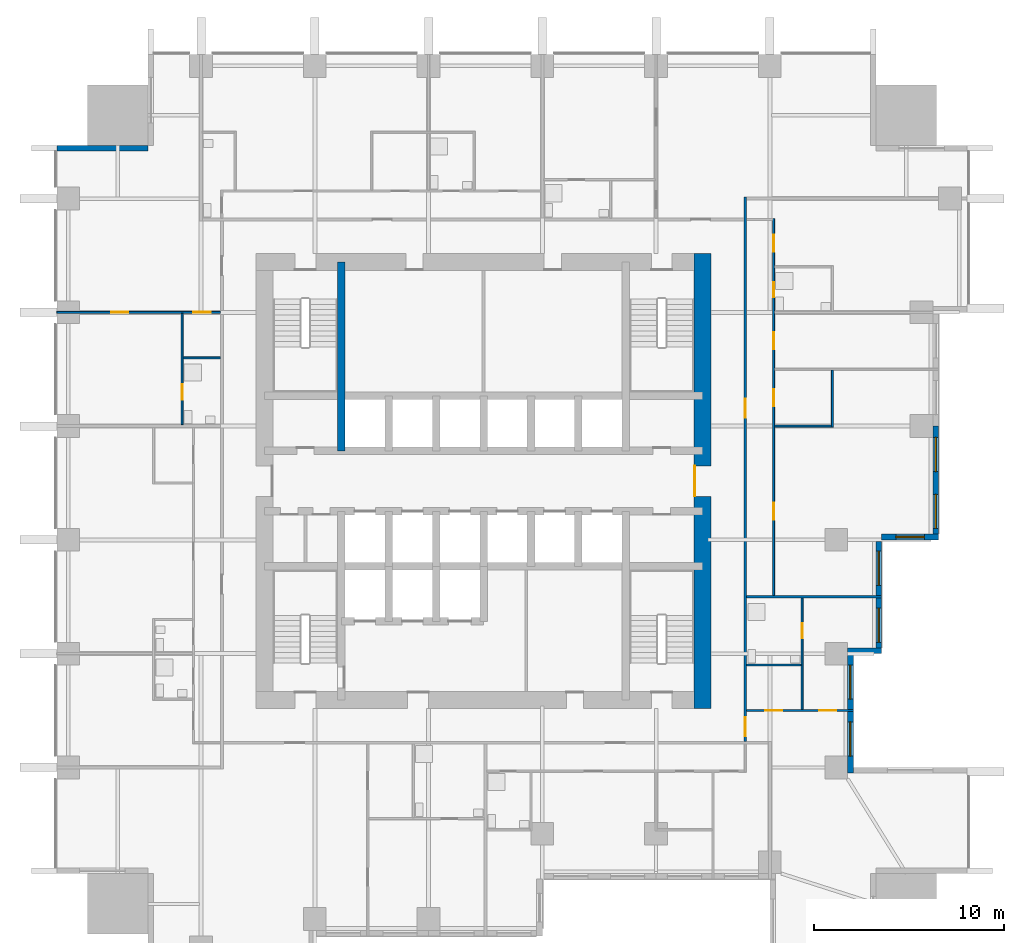
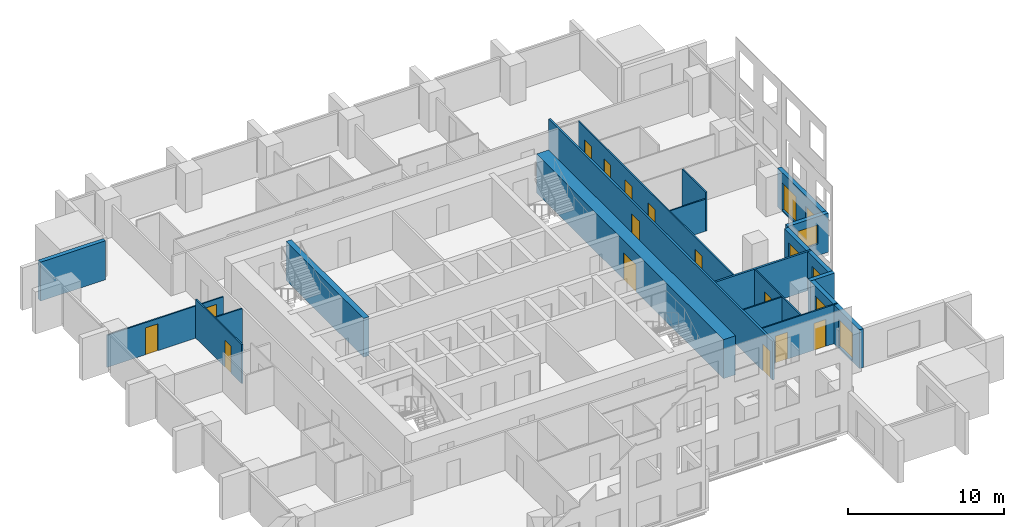
# One storey, part 6 of 11: 19 walls, 14 doors, 7 windows, 21 openings.
"""IFC4 building model written with IfcOpenShell, lengths in metres."""

from ifc_helpers import new_model, si_unit, direction, frame, frame_2d, origin, place, context, subcontext, project, spatial, rectangle, extrude, material, layer, layer_set, type_object, element, fill, save


model = new_model("IFC4")

# Units and contexts
model_context = context("Model", 3, precision=1e-05, world=origin(), true_north=direction((0.0, 1.0)))
body_context = subcontext(model_context, "Body", "Model", "MODEL_VIEW")
ifc_project = project(units=[si_unit("LENGTHUNIT", "METRE"), si_unit("AREAUNIT", "SQUARE_METRE"), si_unit("VOLUMEUNIT", "CUBIC_METRE"), si_unit("PLANEANGLEUNIT", "RADIAN"), si_unit("MASSUNIT", "GRAM", prefix="KILO")], contexts=[model_context])

# Site, building, storey
site_placement = place(None, origin())
site = spatial("IfcSite", under=ifc_project, at=site_placement, CompositionType="ELEMENT")
building_placement = place(site_placement, origin())
building = spatial("IfcBuilding", under=site, at=building_placement, Name="Amberfall Residences", CompositionType="ELEMENT")
storey_placement = place(building_placement, frame((0.0, 0.0, 33.39990234375)))
storey = spatial("IfcBuildingStorey", under=building, at=storey_placement, Name="L08", CompositionType="ELEMENT", Elevation=33.39990234375)

# Wall
ifc_material_1 = material(Name="Pale stone cladding on insulated backing", Category="masonry")
ifc_layer_1 = layer(ifc_material_1, 0.300048828125)
ifc_layer_set_1 = layer_set([ifc_layer_1], Name="Bronze clad wall 300")
wall_type_1 = type_object("IfcWallType", Name="Bronze clad wall 300", PredefinedType="SOLIDWALL", material=ifc_layer_set_1)
wall_1_placement = place(storey_placement, frame((93.699951171875, 36.550048828125, 0.0), z_axis=(0.0, 0.0, 1.0), x_axis=(1.0, 0.0, 0.0)))
element("IfcWall", 1, at=wall_1_placement, inside=storey, type_object=wall_type_1, Name="External wall L08 E", PredefinedType="SOLIDWALL", context=body_context, shape_type="SweptSolid", body=[
    extrude(rectangle(XDim=1.800048828125, YDim=0.300048828125, at=frame_2d((0.89990234375, 0.0))), origin(), (0.0, 0.0, 1.0), 3.050048828125),
])

# Wall, opening, window
wall_2_placement = place(storey_placement, frame((95.5, 42.550048828125, 0.0), z_axis=(0.0, 0.0, 1.0), x_axis=(1.0, 0.0, 0.0)))
wall_2 = element("IfcWall", 2, at=wall_2_placement, inside=storey, type_object=wall_type_1, Name="External wall L08 E", PredefinedType="SOLIDWALL", context=body_context, shape_type="SweptSolid", body=[
    extrude(rectangle(XDim=3.0, YDim=0.300048828125, at=frame_2d((1.5, 0.0))), origin(), (0.0, 0.0, 1.0), 3.050048828125),
])
opening_1_placement = place(wall_2_placement, frame((0.75, 0.0, 0.89990234375)))
opening_1 = element("IfcOpeningElement", 3, at=opening_1_placement, cuts=wall_2, Name="Opening WN1", PredefinedType="OPENING", context=body_context, shape_type="SweptSolid", body=[
    extrude(rectangle(XDim=1.5, YDim=1.5, at=frame_2d((0.75, 0.75))), frame((0.0, 0.159912109375, 0.0), z_axis=(0.0, -1.0, 0.0), x_axis=(1.0, 0.0, 0.0)), (0.0, 0.0, 1.0), 0.320068359375),
])
ifc_material_2 = material(Name="Bronze aluminium framed glazing", Category="aluminium")
window_type_1 = type_object("IfcWindowType", Name="Window 1500 x 1500 bronze", PartitioningType="DOUBLE_PANEL_VERTICAL", PredefinedType="WINDOW", material=ifc_material_2)
window_1_placement = place(opening_1_placement, origin())
window_1 = element("IfcWindow", 4, at=window_1_placement, inside=storey, type_object=window_type_1, Name="Window L08 E", OverallHeight=1.5, OverallWidth=1.5, PartitioningType="DOUBLE_PANEL_VERTICAL", PredefinedType="WINDOW", context=body_context, shape_type="SweptSolid", body=[
    extrude(rectangle(XDim=1.5, YDim=1.5, at=frame_2d((0.75, 0.75))), frame((0.0, 0.030029296875, 0.0), z_axis=(0.0, -1.0, 0.0), x_axis=(1.0, 0.0, 0.0)), (0.0, 0.0, 1.0), 0.06005859375),
])
fill(opening_1, window_1)

# Wall
wall_3_placement = place(storey_placement, frame((56.800048828125, 63.050048828125, 0.0), z_axis=(0.0, 0.0, 1.0), x_axis=(-1.0, 0.0, 0.0)))
element("IfcWall", 5, at=wall_3_placement, inside=storey, type_object=wall_type_1, Name="External wall L08 NW", PredefinedType="SOLIDWALL", context=body_context, shape_type="SweptSolid", body=[
    extrude(rectangle(XDim=4.800048828125, YDim=0.300048828125, at=frame_2d((2.39990234375, 0.0))), origin(), (0.0, 0.0, 1.0), 3.050048828125),
])

# Wall, openings, windows
wall_4_placement = place(storey_placement, frame((93.85009765625, 30.10009765625, 0.0), z_axis=(0.0, 0.0, 1.0), x_axis=(0.0, 1.0, 0.0)))
wall_4 = element("IfcWall", 6, at=wall_4_placement, inside=storey, type_object=wall_type_1, Name="Stone wall L08 E", PredefinedType="SOLIDWALL", context=body_context, shape_type="SweptSolid", body=[
    extrude(rectangle(XDim=6.2998046875, YDim=0.300048828125, at=frame_2d((3.14990234375, 0.0))), origin(), (0.0, 0.0, 1.0), 3.050048828125),
])
opening_2_placement = place(wall_4_placement, frame((0.89990234375, 0.0, 0.14990234375)))
opening_2 = element("IfcOpeningElement", 7, at=opening_2_placement, cuts=wall_4, Name="Opening WN6", PredefinedType="OPENING", context=body_context, shape_type="SweptSolid", body=[
    extrude(rectangle(XDim=1.800048828125, YDim=2.10009765625, at=frame_2d((0.89990234375, 1.050048828125))), frame((0.0, 0.159912109375, 0.0), z_axis=(0.0, -1.0, 0.0), x_axis=(1.0, 0.0, 0.0)), (0.0, 0.0, 1.0), 0.320068359375),
])
opening_3_placement = place(wall_4_placement, frame((3.89990234375, 0.0, 0.14990234375)))
opening_3 = element("IfcOpeningElement", 8, at=opening_3_placement, cuts=wall_4, Name="Opening WN6", PredefinedType="OPENING", context=body_context, shape_type="SweptSolid", body=[
    extrude(rectangle(XDim=1.800048828125, YDim=2.10009765625, at=frame_2d((0.89990234375, 1.050048828125))), frame((0.0, 0.159912109375, 0.0), z_axis=(0.0, -1.0, 0.0), x_axis=(1.0, 0.0, 0.0)), (0.0, 0.0, 1.0), 0.320068359375),
])
window_type_2 = type_object("IfcWindowType", Name="Glazed opening 1800 x 2100 bronze", PartitioningType="DOUBLE_PANEL_VERTICAL", PredefinedType="WINDOW", material=ifc_material_2)
window_2_placement = place(opening_2_placement, origin())
window_2 = element("IfcWindow", 9, at=window_2_placement, inside=storey, type_object=window_type_2, Name="Window L08 E", OverallHeight=2.10009765625, OverallWidth=1.800048828125, PartitioningType="DOUBLE_PANEL_VERTICAL", PredefinedType="WINDOW", context=body_context, shape_type="SweptSolid", body=[
    extrude(rectangle(XDim=1.800048828125, YDim=2.10009765625, at=frame_2d((0.89990234375, 1.050048828125))), frame((0.0, 0.030029296875, 0.0), z_axis=(0.0, -1.0, 0.0), x_axis=(1.0, 0.0, 0.0)), (0.0, 0.0, 1.0), 0.06005859375),
])
fill(opening_2, window_2)
window_3_placement = place(opening_3_placement, origin())
window_3 = element("IfcWindow", 10, at=window_3_placement, inside=storey, type_object=window_type_2, Name="Window L08 E", OverallHeight=2.10009765625, OverallWidth=1.800048828125, PartitioningType="DOUBLE_PANEL_VERTICAL", PredefinedType="WINDOW", context=body_context, shape_type="SweptSolid", body=[
    extrude(rectangle(XDim=1.800048828125, YDim=2.10009765625, at=frame_2d((0.89990234375, 1.050048828125))), frame((0.0, 0.030029296875, 0.0), z_axis=(0.0, -1.0, 0.0), x_axis=(1.0, 0.0, 0.0)), (0.0, 0.0, 1.0), 0.06005859375),
])
fill(opening_3, window_3)

wall_5_placement = place(storey_placement, frame((95.35009765625, 36.699951171875, 0.0), z_axis=(0.0, 0.0, 1.0), x_axis=(0.0, 1.0, 0.0)))
wall_5 = element("IfcWall", 11, at=wall_5_placement, inside=storey, type_object=wall_type_1, Name="Stone wall L08 E", PredefinedType="SOLIDWALL", context=body_context, shape_type="SweptSolid", body=[
    extrude(rectangle(XDim=5.610107421875, YDim=0.300048828125, at=frame_2d((2.80517578125, 0.0))), origin(), (0.0, 0.0, 1.0), 3.050048828125),
])
opening_4_placement = place(wall_5_placement, frame((0.300048828125, 0.0, 0.14990234375)))
opening_4 = element("IfcOpeningElement", 12, at=opening_4_placement, cuts=wall_5, Name="Opening WN6", PredefinedType="OPENING", context=body_context, shape_type="SweptSolid", body=[
    extrude(rectangle(XDim=1.800048828125, YDim=2.10009765625, at=frame_2d((0.89990234375, 1.050048828125))), frame((0.0, 0.159912109375, 0.0), z_axis=(0.0, -1.0, 0.0), x_axis=(1.0, 0.0, 0.0)), (0.0, 0.0, 1.0), 0.320068359375),
])
opening_5_placement = place(wall_5_placement, frame((3.300048828125, 0.0, 0.14990234375)))
opening_5 = element("IfcOpeningElement", 13, at=opening_5_placement, cuts=wall_5, Name="Opening WN6", PredefinedType="OPENING", context=body_context, shape_type="SweptSolid", body=[
    extrude(rectangle(XDim=1.800048828125, YDim=2.10009765625, at=frame_2d((0.89990234375, 1.050048828125))), frame((0.0, 0.159912109375, 0.0), z_axis=(0.0, -1.0, 0.0), x_axis=(1.0, 0.0, 0.0)), (0.0, 0.0, 1.0), 0.320068359375),
])
window_4_placement = place(opening_4_placement, origin())
window_4 = element("IfcWindow", 14, at=window_4_placement, inside=storey, type_object=window_type_2, Name="Window L08 E", OverallHeight=2.10009765625, OverallWidth=1.800048828125, PartitioningType="DOUBLE_PANEL_VERTICAL", PredefinedType="WINDOW", context=body_context, shape_type="SweptSolid", body=[
    extrude(rectangle(XDim=1.800048828125, YDim=2.10009765625, at=frame_2d((0.89990234375, 1.050048828125))), frame((0.0, 0.030029296875, 0.0), z_axis=(0.0, -1.0, 0.0), x_axis=(1.0, 0.0, 0.0)), (0.0, 0.0, 1.0), 0.06005859375),
])
fill(opening_4, window_4)
window_5_placement = place(opening_5_placement, origin())
window_5 = element("IfcWindow", 15, at=window_5_placement, inside=storey, type_object=window_type_2, Name="Window L08 E", OverallHeight=2.10009765625, OverallWidth=1.800048828125, PartitioningType="DOUBLE_PANEL_VERTICAL", PredefinedType="WINDOW", context=body_context, shape_type="SweptSolid", body=[
    extrude(rectangle(XDim=1.800048828125, YDim=2.10009765625, at=frame_2d((0.89990234375, 1.050048828125))), frame((0.0, 0.030029296875, 0.0), z_axis=(0.0, -1.0, 0.0), x_axis=(1.0, 0.0, 0.0)), (0.0, 0.0, 1.0), 0.06005859375),
])
fill(opening_5, window_5)

wall_6_placement = place(storey_placement, frame((98.35009765625, 42.699951171875, 0.0), z_axis=(0.0, 0.0, 1.0), x_axis=(0.0, 1.0, 0.0)))
wall_6 = element("IfcWall", 16, at=wall_6_placement, inside=storey, type_object=wall_type_1, Name="Stone wall L08 E", PredefinedType="SOLIDWALL", context=body_context, shape_type="SweptSolid", body=[
    extrude(rectangle(XDim=5.699951171875, YDim=0.300048828125, at=frame_2d((2.85009765625, 0.0))), origin(), (0.0, 0.0, 1.0), 3.050048828125),
])
opening_6_placement = place(wall_6_placement, frame((0.300048828125, 0.0, 0.14990234375)))
opening_6 = element("IfcOpeningElement", 17, at=opening_6_placement, cuts=wall_6, Name="Opening WN6", PredefinedType="OPENING", context=body_context, shape_type="SweptSolid", body=[
    extrude(rectangle(XDim=1.800048828125, YDim=2.10009765625, at=frame_2d((0.89990234375, 1.050048828125))), frame((0.0, 0.159912109375, 0.0), z_axis=(0.0, -1.0, 0.0), x_axis=(1.0, 0.0, 0.0)), (0.0, 0.0, 1.0), 0.320068359375),
])
opening_7_placement = place(wall_6_placement, frame((3.300048828125, 0.0, 0.14990234375)))
opening_7 = element("IfcOpeningElement", 18, at=opening_7_placement, cuts=wall_6, Name="Opening WN6", PredefinedType="OPENING", context=body_context, shape_type="SweptSolid", body=[
    extrude(rectangle(XDim=1.800048828125, YDim=2.10009765625, at=frame_2d((0.89990234375, 1.050048828125))), frame((0.0, 0.159912109375, 0.0), z_axis=(0.0, -1.0, 0.0), x_axis=(1.0, 0.0, 0.0)), (0.0, 0.0, 1.0), 0.320068359375),
])
window_6_placement = place(opening_6_placement, origin())
window_6 = element("IfcWindow", 19, at=window_6_placement, inside=storey, type_object=window_type_2, Name="Window L08 E", OverallHeight=2.10009765625, OverallWidth=1.800048828125, PartitioningType="DOUBLE_PANEL_VERTICAL", PredefinedType="WINDOW", context=body_context, shape_type="SweptSolid", body=[
    extrude(rectangle(XDim=1.800048828125, YDim=2.10009765625, at=frame_2d((0.89990234375, 1.050048828125))), frame((0.0, 0.030029296875, 0.0), z_axis=(0.0, -1.0, 0.0), x_axis=(1.0, 0.0, 0.0)), (0.0, 0.0, 1.0), 0.06005859375),
])
fill(opening_6, window_6)
window_7_placement = place(opening_7_placement, origin())
window_7 = element("IfcWindow", 20, at=window_7_placement, inside=storey, type_object=window_type_2, Name="Window L08 E", OverallHeight=2.10009765625, OverallWidth=1.800048828125, PartitioningType="DOUBLE_PANEL_VERTICAL", PredefinedType="WINDOW", context=body_context, shape_type="SweptSolid", body=[
    extrude(rectangle(XDim=1.800048828125, YDim=2.10009765625, at=frame_2d((0.89990234375, 1.050048828125))), frame((0.0, 0.030029296875, 0.0), z_axis=(0.0, -1.0, 0.0), x_axis=(1.0, 0.0, 0.0)), (0.0, 0.0, 1.0), 0.06005859375),
])
fill(opening_7, window_7)

# Wall
ifc_material_3 = material(Name="Concrete C80", Category="concrete")
ifc_layer_2 = layer(ifc_material_3, 0.39990234375)
ifc_layer_set_2 = layer_set([ifc_layer_2], Name="Core wall 400 C80")
wall_type_2 = type_object("IfcWallType", Name="Core wall 400 C80", PredefinedType="SHEAR", material=ifc_layer_set_2)
wall_7_placement = place(storey_placement, frame((67.0, 47.10009765625, 0.0), z_axis=(0.0, 0.0, 1.0), x_axis=(0.0, 1.0, 0.0)))
element("IfcWall", 21, at=wall_7_placement, inside=storey, type_object=wall_type_2, Name="Core wall RW2 L08 V45N", PredefinedType="SHEAR", context=body_context, shape_type="SweptSolid", body=[
    extrude(rectangle(XDim=9.949951171875, YDim=0.39990234375, at=frame_2d((4.97509765625, 0.0))), origin(), (0.0, 0.0, 1.0), 3.050048828125),
])

# Wall, opening, door
ifc_layer_3 = layer(ifc_material_3, 0.89990234375)
ifc_layer_set_3 = layer_set([ifc_layer_3], Name="Core wall 900 C80")
wall_type_3 = type_object("IfcWallType", Name="Core wall 900 C80", PredefinedType="SHEAR", material=ifc_layer_set_3)
wall_8_placement = place(storey_placement, frame((86.050048828125, 33.5, 0.0), z_axis=(0.0, 0.0, 1.0), x_axis=(0.0, 1.0, 0.0)))
wall_8 = element("IfcWall", 22, at=wall_8_placement, inside=storey, type_object=wall_type_3, Name="Core wall RW1 L08 OE", PredefinedType="SHEAR", context=body_context, shape_type="SweptSolid", body=[
    extrude(rectangle(XDim=24.0, YDim=0.89990234375, at=frame_2d((12.0, 0.0))), origin(), (0.0, 0.0, 1.0), 3.050048828125),
])
opening_8_placement = place(wall_8_placement, frame((11.199951171875, 0.0, 0.0)))
opening_8 = element("IfcOpeningElement", 23, at=opening_8_placement, cuts=wall_8, Name="Opening LB1", PredefinedType="OPENING", context=body_context, shape_type="SweptSolid", body=[
    extrude(rectangle(XDim=1.60009765625, YDim=2.10009765625, at=frame_2d((0.800048828125, 1.050048828125))), frame((0.0, 0.4599609375, 0.0), z_axis=(0.0, -1.0, 0.0), x_axis=(1.0, 0.0, 0.0)), (0.0, 0.0, 1.0), 0.919921875),
])
ifc_material_4 = material(Name="Steel fire door set", Category="steel")
door_type_1 = type_object("IfcDoorType", Name="Lift lobby double door 1600 x 2100", OperationType="DOUBLE_DOOR_SINGLE_SWING", PredefinedType="DOOR", material=ifc_material_4)
door_1_placement = place(opening_8_placement, origin())
door_1 = element("IfcDoor", 24, at=door_1_placement, inside=storey, type_object=door_type_1, Name="LB1 L08", OperationType="DOUBLE_DOOR_SINGLE_SWING", OverallHeight=2.10009765625, OverallWidth=1.60009765625, PredefinedType="DOOR", context=body_context, shape_type="SweptSolid", body=[
    extrude(rectangle(XDim=1.60009765625, YDim=2.10009765625, at=frame_2d((0.800048828125, 1.050048828125))), frame((0.0, 0.4375, 0.0), z_axis=(0.0, -1.0, 0.0), x_axis=(1.0, 0.0, 0.0)), (0.0, 0.0, 1.0), 0.050048828125),
])
fill(opening_8, door_1)

ifc_material_5 = material(Name="Gypsum board on metal stud")
ifc_layer_4 = layer(ifc_material_5, 0.10009765625)
ifc_layer_set_4 = layer_set([ifc_layer_4], Name="Flat partition 100")
wall_type_4 = type_object("IfcWallType", Name="Flat partition 100", PredefinedType="PARTITIONING", material=ifc_layer_set_4)
wall_9_placement = place(storey_placement, frame((58.60009765625, 54.35009765625, 0.0), z_axis=(0.0, 0.0, 1.0), x_axis=(0.0, -1.0, 0.0)))
wall_9 = element("IfcWall", 25, at=wall_9_placement, inside=storey, type_object=wall_type_4, Name="Partition 003", PredefinedType="PARTITIONING", context=body_context, shape_type="SweptSolid", body=[
    extrude(rectangle(XDim=5.875, YDim=0.10009765625, at=frame_2d((2.9375, 0.0))), origin(), (0.0, 0.0, 1.0), 3.050048828125),
])
opening_9_placement = place(wall_9_placement, frame((3.75, 0.0, 0.0)))
opening_9 = element("IfcOpeningElement", 26, at=opening_9_placement, cuts=wall_9, Name="Opening D42", PredefinedType="OPENING", context=body_context, shape_type="SweptSolid", body=[
    extrude(rectangle(XDim=0.800048828125, YDim=2.10009765625, at=frame_2d((0.39990234375, 1.050048828125))), frame((0.0, 0.06005859375, 0.0), z_axis=(0.0, -1.0, 0.0), x_axis=(1.0, 0.0, 0.0)), (0.0, 0.0, 1.0), 0.1201171875),
])
ifc_material_6 = material(Name="Timber", Category="wood")
door_type_2 = type_object("IfcDoorType", Name="Bathroom door 800 x 2100", OperationType="SINGLE_SWING_LEFT", PredefinedType="DOOR", material=ifc_material_6)
door_2_placement = place(opening_9_placement, origin())
door_2 = element("IfcDoor", 27, at=door_2_placement, inside=storey, type_object=door_type_2, Name="Door 0808 bath1", OperationType="SINGLE_SWING_LEFT", OverallHeight=2.10009765625, OverallWidth=0.800048828125, PredefinedType="DOOR", context=body_context, shape_type="SweptSolid", body=[
    extrude(rectangle(XDim=0.800048828125, YDim=2.10009765625, at=frame_2d((0.39990234375, 1.050048828125))), frame((0.0, 0.02490234375, 0.0), z_axis=(0.0, -1.0, 0.0), x_axis=(1.0, 0.0, 0.0)), (0.0, 0.0, 1.0), 0.050048828125),
])
fill(opening_9, door_2)

# Wall, openings, doors
wall_10_placement = place(storey_placement, frame((89.800048828125, 59.35009765625, 0.0), z_axis=(0.0, 0.0, 1.0), x_axis=(0.0, -1.0, 0.0)))
wall_10 = element("IfcWall", 28, at=wall_10_placement, inside=storey, type_object=wall_type_4, Name="Partition 018", PredefinedType="PARTITIONING", context=body_context, shape_type="SweptSolid", body=[
    extrude(rectangle(XDim=19.875, YDim=0.10009765625, at=frame_2d((9.9375, 0.0))), origin(), (0.0, 0.0, 1.0), 3.050048828125),
])
opening_10_placement = place(wall_10_placement, frame((15.0, 0.0, 0.0)))
opening_10 = element("IfcOpeningElement", 29, at=opening_10_placement, cuts=wall_10, Name="Opening D41", PredefinedType="OPENING", context=body_context, shape_type="SweptSolid", body=[
    extrude(rectangle(XDim=0.89990234375, YDim=2.10009765625, at=frame_2d((0.449951171875, 1.050048828125))), frame((0.0, 0.06005859375, 0.0), z_axis=(0.0, -1.0, 0.0), x_axis=(1.0, 0.0, 0.0)), (0.0, 0.0, 1.0), 0.1201171875),
])
opening_11_placement = place(wall_10_placement, frame((9.0, 0.0, 0.0)))
opening_11 = element("IfcOpeningElement", 30, at=opening_11_placement, cuts=wall_10, Name="Opening D41", PredefinedType="OPENING", context=body_context, shape_type="SweptSolid", body=[
    extrude(rectangle(XDim=0.89990234375, YDim=2.10009765625, at=frame_2d((0.449951171875, 1.050048828125))), frame((0.0, 0.06005859375, 0.0), z_axis=(0.0, -1.0, 0.0), x_axis=(1.0, 0.0, 0.0)), (0.0, 0.0, 1.0), 0.1201171875),
])
opening_12_placement = place(wall_10_placement, frame((6.0, 0.0, 0.0)))
opening_12 = element("IfcOpeningElement", 31, at=opening_12_placement, cuts=wall_10, Name="Opening D41", PredefinedType="OPENING", context=body_context, shape_type="SweptSolid", body=[
    extrude(rectangle(XDim=0.89990234375, YDim=2.10009765625, at=frame_2d((0.449951171875, 1.050048828125))), frame((0.0, 0.06005859375, 0.0), z_axis=(0.0, -1.0, 0.0), x_axis=(1.0, 0.0, 0.0)), (0.0, 0.0, 1.0), 0.1201171875),
])
opening_13_placement = place(wall_10_placement, frame((0.85009765625, 0.0, 0.0)))
opening_13 = element("IfcOpeningElement", 32, at=opening_13_placement, cuts=wall_10, Name="Opening D41", PredefinedType="OPENING", context=body_context, shape_type="SweptSolid", body=[
    extrude(rectangle(XDim=0.89990234375, YDim=2.10009765625, at=frame_2d((0.449951171875, 1.050048828125))), frame((0.0, 0.06005859375, 0.0), z_axis=(0.0, -1.0, 0.0), x_axis=(1.0, 0.0, 0.0)), (0.0, 0.0, 1.0), 0.1201171875),
])
opening_14_placement = place(wall_10_placement, frame((3.35009765625, 0.0, 0.0)))
opening_14 = element("IfcOpeningElement", 33, at=opening_14_placement, cuts=wall_10, Name="Opening D42", PredefinedType="OPENING", context=body_context, shape_type="SweptSolid", body=[
    extrude(rectangle(XDim=0.800048828125, YDim=2.10009765625, at=frame_2d((0.39990234375, 1.050048828125))), frame((0.0, 0.06005859375, 0.0), z_axis=(0.0, -1.0, 0.0), x_axis=(1.0, 0.0, 0.0)), (0.0, 0.0, 1.0), 0.1201171875),
])
door_3_placement = place(opening_14_placement, origin())
door_3 = element("IfcDoor", 34, at=door_3_placement, inside=storey, type_object=door_type_2, Name="Door 0804 bath1", OperationType="SINGLE_SWING_LEFT", OverallHeight=2.10009765625, OverallWidth=0.800048828125, PredefinedType="DOOR", context=body_context, shape_type="SweptSolid", body=[
    extrude(rectangle(XDim=0.800048828125, YDim=2.10009765625, at=frame_2d((0.39990234375, 1.050048828125))), frame((0.0, 0.02490234375, 0.0), z_axis=(0.0, -1.0, 0.0), x_axis=(1.0, 0.0, 0.0)), (0.0, 0.0, 1.0), 0.050048828125),
])
fill(opening_14, door_3)
door_type_3 = type_object("IfcDoorType", Name="Internal door 900 x 2100", OperationType="SINGLE_SWING_LEFT", PredefinedType="DOOR", material=ifc_material_6)
door_4_placement = place(opening_10_placement, origin())
door_4 = element("IfcDoor", 35, at=door_4_placement, inside=storey, type_object=door_type_3, Name="Door 0804 living", OperationType="SINGLE_SWING_LEFT", OverallHeight=2.10009765625, OverallWidth=0.89990234375, PredefinedType="DOOR", context=body_context, shape_type="SweptSolid", body=[
    extrude(rectangle(XDim=0.89990234375, YDim=2.10009765625, at=frame_2d((0.449951171875, 1.050048828125))), frame((0.0, 0.02490234375, 0.0), z_axis=(0.0, -1.0, 0.0), x_axis=(1.0, 0.0, 0.0)), (0.0, 0.0, 1.0), 0.050048828125),
])
fill(opening_10, door_4)
door_5_placement = place(opening_11_placement, origin())
door_5 = element("IfcDoor", 36, at=door_5_placement, inside=storey, type_object=door_type_3, Name="Door 0804 kitchen", OperationType="SINGLE_SWING_LEFT", OverallHeight=2.10009765625, OverallWidth=0.89990234375, PredefinedType="DOOR", context=body_context, shape_type="SweptSolid", body=[
    extrude(rectangle(XDim=0.89990234375, YDim=2.10009765625, at=frame_2d((0.449951171875, 1.050048828125))), frame((0.0, 0.02490234375, 0.0), z_axis=(0.0, -1.0, 0.0), x_axis=(1.0, 0.0, 0.0)), (0.0, 0.0, 1.0), 0.050048828125),
])
fill(opening_11, door_5)
door_6_placement = place(opening_12_placement, origin())
door_6 = element("IfcDoor", 37, at=door_6_placement, inside=storey, type_object=door_type_3, Name="Door 0804 bedroom1", OperationType="SINGLE_SWING_LEFT", OverallHeight=2.10009765625, OverallWidth=0.89990234375, PredefinedType="DOOR", context=body_context, shape_type="SweptSolid", body=[
    extrude(rectangle(XDim=0.89990234375, YDim=2.10009765625, at=frame_2d((0.449951171875, 1.050048828125))), frame((0.0, 0.02490234375, 0.0), z_axis=(0.0, -1.0, 0.0), x_axis=(1.0, 0.0, 0.0)), (0.0, 0.0, 1.0), 0.050048828125),
])
fill(opening_12, door_6)
door_7_placement = place(opening_13_placement, origin())
door_7 = element("IfcDoor", 38, at=door_7_placement, inside=storey, type_object=door_type_3, Name="Door 0804 bedroom2", OperationType="SINGLE_SWING_LEFT", OverallHeight=2.10009765625, OverallWidth=0.89990234375, PredefinedType="DOOR", context=body_context, shape_type="SweptSolid", body=[
    extrude(rectangle(XDim=0.89990234375, YDim=2.10009765625, at=frame_2d((0.449951171875, 1.050048828125))), frame((0.0, 0.02490234375, 0.0), z_axis=(0.0, -1.0, 0.0), x_axis=(1.0, 0.0, 0.0)), (0.0, 0.0, 1.0), 0.050048828125),
])
fill(opening_13, door_7)

# Wall, opening, door
wall_11_placement = place(storey_placement, frame((91.300048828125, 33.449951171875, 0.0), z_axis=(0.0, 0.0, 1.0), x_axis=(0.0, 1.0, 0.0)))
wall_11 = element("IfcWall", 39, at=wall_11_placement, inside=storey, type_object=wall_type_4, Name="Partition 019", PredefinedType="PARTITIONING", context=body_context, shape_type="SweptSolid", body=[
    extrude(rectangle(XDim=5.875, YDim=0.10009765625, at=frame_2d((2.9375, 0.0))), origin(), (0.0, 0.0, 1.0), 3.050048828125),
])
opening_15_placement = place(wall_11_placement, frame((3.75, 0.0, 0.0)))
opening_15 = element("IfcOpeningElement", 40, at=opening_15_placement, cuts=wall_11, Name="Opening D42", PredefinedType="OPENING", context=body_context, shape_type="SweptSolid", body=[
    extrude(rectangle(XDim=0.800048828125, YDim=2.10009765625, at=frame_2d((0.39990234375, 1.050048828125))), frame((0.0, 0.06005859375, 0.0), z_axis=(0.0, -1.0, 0.0), x_axis=(1.0, 0.0, 0.0)), (0.0, 0.0, 1.0), 0.1201171875),
])
door_8_placement = place(opening_15_placement, origin())
door_8 = element("IfcDoor", 41, at=door_8_placement, inside=storey, type_object=door_type_2, Name="Door 0803 bath1", OperationType="SINGLE_SWING_LEFT", OverallHeight=2.10009765625, OverallWidth=0.800048828125, PredefinedType="DOOR", context=body_context, shape_type="SweptSolid", body=[
    extrude(rectangle(XDim=0.800048828125, YDim=2.10009765625, at=frame_2d((0.39990234375, 1.050048828125))), frame((0.0, 0.02490234375, 0.0), z_axis=(0.0, -1.0, 0.0), x_axis=(1.0, 0.0, 0.0)), (0.0, 0.0, 1.0), 0.050048828125),
])
fill(opening_15, door_8)

# Wall
wall_12_placement = place(storey_placement, frame((92.89990234375, 48.35009765625, 0.0), z_axis=(0.0, 0.0, 1.0), x_axis=(0.0, 1.0, 0.0)))
element("IfcWall", 42, at=wall_12_placement, inside=storey, type_object=wall_type_4, Name="Partition 020", PredefinedType="PARTITIONING", context=body_context, shape_type="SweptSolid", body=[
    extrude(rectangle(XDim=3.0, YDim=0.10009765625, at=frame_2d((1.5, 0.0))), origin(), (0.0, 0.0, 1.0), 3.050048828125),
])

# Wall, openings, doors
wall_13_placement = place(storey_placement, frame((60.625, 54.39990234375, 0.0), z_axis=(0.0, 0.0, 1.0), x_axis=(-1.0, 0.0, 0.0)))
wall_13 = element("IfcWall", 43, at=wall_13_placement, inside=storey, type_object=wall_type_4, Name="Partition 028", PredefinedType="PARTITIONING", context=body_context, shape_type="SweptSolid", body=[
    extrude(rectangle(XDim=8.625, YDim=0.10009765625, at=frame_2d((4.3125, 0.0))), origin(), (0.0, 0.0, 1.0), 2.51611328125),
])
opening_16_placement = place(wall_13_placement, frame((0.52490234375, 0.0, 0.0)))
opening_16 = element("IfcOpeningElement", 44, at=opening_16_placement, cuts=wall_13, Name="Opening D41", PredefinedType="OPENING", context=body_context, shape_type="SweptSolid", body=[
    extrude(rectangle(XDim=0.89990234375, YDim=2.10009765625, at=frame_2d((0.449951171875, 1.050048828125))), frame((0.0, 0.06005859375, 0.0), z_axis=(0.0, -1.0, 0.0), x_axis=(1.0, 0.0, 0.0)), (0.0, 0.0, 1.0), 0.1201171875),
])
opening_17_placement = place(wall_13_placement, frame((4.875, 0.0, 0.0)))
opening_17 = element("IfcOpeningElement", 45, at=opening_17_placement, cuts=wall_13, Name="Opening D41", PredefinedType="OPENING", context=body_context, shape_type="SweptSolid", body=[
    extrude(rectangle(XDim=0.89990234375, YDim=2.10009765625, at=frame_2d((0.449951171875, 1.050048828125))), frame((0.0, 0.06005859375, 0.0), z_axis=(0.0, -1.0, 0.0), x_axis=(1.0, 0.0, 0.0)), (0.0, 0.0, 1.0), 0.1201171875),
])
door_9_placement = place(opening_16_placement, origin())
door_9 = element("IfcDoor", 46, at=door_9_placement, inside=storey, type_object=door_type_3, Name="Door 0808 kitchen", OperationType="SINGLE_SWING_LEFT", OverallHeight=2.10009765625, OverallWidth=0.89990234375, PredefinedType="DOOR", context=body_context, shape_type="SweptSolid", body=[
    extrude(rectangle(XDim=0.89990234375, YDim=2.10009765625, at=frame_2d((0.449951171875, 1.050048828125))), frame((0.0, 0.02490234375, 0.0), z_axis=(0.0, -1.0, 0.0), x_axis=(1.0, 0.0, 0.0)), (0.0, 0.0, 1.0), 0.050048828125),
])
fill(opening_16, door_9)
door_10_placement = place(opening_17_placement, origin())
door_10 = element("IfcDoor", 47, at=door_10_placement, inside=storey, type_object=door_type_3, Name="Door 0808 bedroom1", OperationType="SINGLE_SWING_LEFT", OverallHeight=2.10009765625, OverallWidth=0.89990234375, PredefinedType="DOOR", context=body_context, shape_type="SweptSolid", body=[
    extrude(rectangle(XDim=0.89990234375, YDim=2.10009765625, at=frame_2d((0.449951171875, 1.050048828125))), frame((0.0, 0.02490234375, 0.0), z_axis=(0.0, -1.0, 0.0), x_axis=(1.0, 0.0, 0.0)), (0.0, 0.0, 1.0), 0.050048828125),
])
fill(opening_17, door_10)

# Walls
wall_14_placement = place(storey_placement, frame((58.64990234375, 52.0, 0.0), z_axis=(0.0, 0.0, 1.0), x_axis=(1.0, 0.0, 0.0)))
element("IfcWall", 48, at=wall_14_placement, inside=storey, type_object=wall_type_4, Name="Partition 030", PredefinedType="PARTITIONING", context=body_context, shape_type="SweptSolid", body=[
    extrude(rectangle(XDim=1.97509765625, YDim=0.10009765625, at=frame_2d((0.987548828125, 0.0))), origin(), (0.0, 0.0, 1.0), 3.050048828125),
])
wall_15_placement = place(storey_placement, frame((89.85009765625, 48.39990234375, 0.0), z_axis=(0.0, 0.0, 1.0), x_axis=(1.0, 0.0, 0.0)))
element("IfcWall", 49, at=wall_15_placement, inside=storey, type_object=wall_type_4, Name="Partition 032", PredefinedType="PARTITIONING", context=body_context, shape_type="SweptSolid", body=[
    extrude(rectangle(XDim=3.0, YDim=0.10009765625, at=frame_2d((1.5, 0.0))), origin(), (0.0, 0.0, 1.0), 2.51611328125),
])
wall_16_placement = place(storey_placement, frame((88.375, 35.800048828125, 0.0), z_axis=(0.0, 0.0, 1.0), x_axis=(1.0, 0.0, 0.0)))
element("IfcWall", 50, at=wall_16_placement, inside=storey, type_object=wall_type_4, Name="Partition 036", PredefinedType="PARTITIONING", context=body_context, shape_type="SweptSolid", body=[
    extrude(rectangle(XDim=2.875, YDim=0.10009765625, at=frame_2d((1.4375, 0.0))), origin(), (0.0, 0.0, 1.0), 3.050048828125),
])

# Wall, openings, doors
wall_17_placement = place(storey_placement, frame((88.375, 33.39990234375, 0.0), z_axis=(0.0, 0.0, 1.0), x_axis=(1.0, 0.0, 0.0)))
wall_17 = element("IfcWall", 51, at=wall_17_placement, inside=storey, type_object=wall_type_4, Name="Partition 038", PredefinedType="PARTITIONING", context=body_context, shape_type="SweptSolid", body=[
    extrude(rectangle(XDim=5.625, YDim=0.10009765625, at=frame_2d((2.8125, 0.0))), origin(), (0.0, 0.0, 1.0), 3.050048828125),
])
opening_18_placement = place(wall_17_placement, frame((0.97509765625, 0.0, 0.0)))
opening_18 = element("IfcOpeningElement", 52, at=opening_18_placement, cuts=wall_17, Name="Opening D41", PredefinedType="OPENING", context=body_context, shape_type="SweptSolid", body=[
    extrude(rectangle(XDim=0.89990234375, YDim=2.10009765625, at=frame_2d((0.449951171875, 1.050048828125))), frame((0.0, 0.06005859375, 0.0), z_axis=(0.0, -1.0, 0.0), x_axis=(1.0, 0.0, 0.0)), (0.0, 0.0, 1.0), 0.1201171875),
])
opening_19_placement = place(wall_17_placement, frame((3.824951171875, 0.0, 0.0)))
opening_19 = element("IfcOpeningElement", 53, at=opening_19_placement, cuts=wall_17, Name="Opening D41", PredefinedType="OPENING", context=body_context, shape_type="SweptSolid", body=[
    extrude(rectangle(XDim=0.89990234375, YDim=2.10009765625, at=frame_2d((0.449951171875, 1.050048828125))), frame((0.0, 0.06005859375, 0.0), z_axis=(0.0, -1.0, 0.0), x_axis=(1.0, 0.0, 0.0)), (0.0, 0.0, 1.0), 0.1201171875),
])
door_11_placement = place(opening_18_placement, origin())
door_11 = element("IfcDoor", 54, at=door_11_placement, inside=storey, type_object=door_type_3, Name="Door 0803 kitchen", OperationType="SINGLE_SWING_LEFT", OverallHeight=2.10009765625, OverallWidth=0.89990234375, PredefinedType="DOOR", context=body_context, shape_type="SweptSolid", body=[
    extrude(rectangle(XDim=0.89990234375, YDim=2.10009765625, at=frame_2d((0.449951171875, 1.050048828125))), frame((0.0, 0.02490234375, 0.0), z_axis=(0.0, -1.0, 0.0), x_axis=(1.0, 0.0, 0.0)), (0.0, 0.0, 1.0), 0.050048828125),
])
fill(opening_18, door_11)
door_12_placement = place(opening_19_placement, origin())
door_12 = element("IfcDoor", 55, at=door_12_placement, inside=storey, type_object=door_type_3, Name="Door 0803 bedroom1", OperationType="SINGLE_SWING_LEFT", OverallHeight=2.10009765625, OverallWidth=0.89990234375, PredefinedType="DOOR", context=body_context, shape_type="SweptSolid", body=[
    extrude(rectangle(XDim=0.89990234375, YDim=2.10009765625, at=frame_2d((0.449951171875, 1.050048828125))), frame((0.0, 0.02490234375, 0.0), z_axis=(0.0, -1.0, 0.0), x_axis=(1.0, 0.0, 0.0)), (0.0, 0.0, 1.0), 0.050048828125),
])
fill(opening_19, door_12)

ifc_material_7 = material(Name="Blockwork, plastered", Category="masonry")
ifc_layer_5 = layer(ifc_material_7, 0.14990234375)
ifc_layer_set_5 = layer_set([ifc_layer_5], Name="Flat separating wall 150")
wall_type_5 = type_object("IfcWallType", Name="Flat separating wall 150", PredefinedType="PARTITIONING", material=ifc_layer_set_5)
wall_18_placement = place(storey_placement, frame((88.300048828125, 60.47509765625, 0.0), z_axis=(0.0, 0.0, 1.0), x_axis=(0.0, -1.0, 0.0)))
wall_18 = element("IfcWall", 56, at=wall_18_placement, inside=storey, type_object=wall_type_5, Name="Separating wall 048", PredefinedType="PARTITIONING", context=body_context, shape_type="SweptSolid", body=[
    extrude(rectangle(XDim=28.7001953125, YDim=0.14990234375, at=frame_2d((14.35009765625, 0.0))), origin(), (0.0, 0.0, 1.0), 3.050048828125),
])
opening_20_placement = place(wall_18_placement, frame((27.425048828125, 0.0, 0.0)))
opening_20 = element("IfcOpeningElement", 57, at=opening_20_placement, cuts=wall_18, Name="Opening D40", PredefinedType="OPENING", context=body_context, shape_type="SweptSolid", body=[
    extrude(rectangle(XDim=1.0, YDim=2.10009765625, at=frame_2d((0.5, 1.050048828125))), frame((0.0, 0.0849609375, 0.0), z_axis=(0.0, -1.0, 0.0), x_axis=(1.0, 0.0, 0.0)), (0.0, 0.0, 1.0), 0.169921875),
])
opening_21_placement = place(wall_18_placement, frame((10.625, 0.0, 0.0)))
opening_21 = element("IfcOpeningElement", 58, at=opening_21_placement, cuts=wall_18, Name="Opening D40", PredefinedType="OPENING", context=body_context, shape_type="SweptSolid", body=[
    extrude(rectangle(XDim=1.0, YDim=2.10009765625, at=frame_2d((0.5, 1.050048828125))), frame((0.0, 0.0849609375, 0.0), z_axis=(0.0, -1.0, 0.0), x_axis=(1.0, 0.0, 0.0)), (0.0, 0.0, 1.0), 0.169921875),
])
ifc_material_8 = material(Name="Timber, fire-rated", Category="wood")
door_type_4 = type_object("IfcDoorType", Name="Flat entrance door FD60 1000 x 2100", OperationType="SINGLE_SWING_LEFT", PredefinedType="DOOR", material=ifc_material_8)
door_13_placement = place(opening_20_placement, origin())
door_13 = element("IfcDoor", 59, at=door_13_placement, inside=storey, type_object=door_type_4, Name="Door 0803 entrance", OperationType="SINGLE_SWING_LEFT", OverallHeight=2.10009765625, OverallWidth=1.0, PredefinedType="DOOR", context=body_context, shape_type="SweptSolid", body=[
    extrude(rectangle(XDim=1.0, YDim=2.10009765625, at=frame_2d((0.5, 1.050048828125))), frame((0.0, 0.02490234375, 0.0), z_axis=(0.0, -1.0, 0.0), x_axis=(1.0, 0.0, 0.0)), (0.0, 0.0, 1.0), 0.050048828125),
])
fill(opening_20, door_13)
door_14_placement = place(opening_21_placement, origin())
door_14 = element("IfcDoor", 60, at=door_14_placement, inside=storey, type_object=door_type_4, Name="Door 0804 entrance", OperationType="SINGLE_SWING_LEFT", OverallHeight=2.10009765625, OverallWidth=1.0, PredefinedType="DOOR", context=body_context, shape_type="SweptSolid", body=[
    extrude(rectangle(XDim=1.0, YDim=2.10009765625, at=frame_2d((0.5, 1.050048828125))), frame((0.0, 0.02490234375, 0.0), z_axis=(0.0, -1.0, 0.0), x_axis=(1.0, 0.0, 0.0)), (0.0, 0.0, 1.0), 0.050048828125),
])
fill(opening_21, door_14)

# Wall
wall_19_placement = place(storey_placement, frame((88.375, 39.39990234375, 0.0), z_axis=(0.0, 0.0, 1.0), x_axis=(1.0, 0.0, 0.0)))
element("IfcWall", 61, at=wall_19_placement, inside=storey, type_object=wall_type_5, Name="Separating wall 053", PredefinedType="PARTITIONING", context=body_context, shape_type="SweptSolid", body=[
    extrude(rectangle(XDim=7.125, YDim=0.14990234375, at=frame_2d((3.5625, 0.0))), origin(), (0.0, 0.0, 1.0), 3.050048828125),
])

save(model, "model.ifc")
